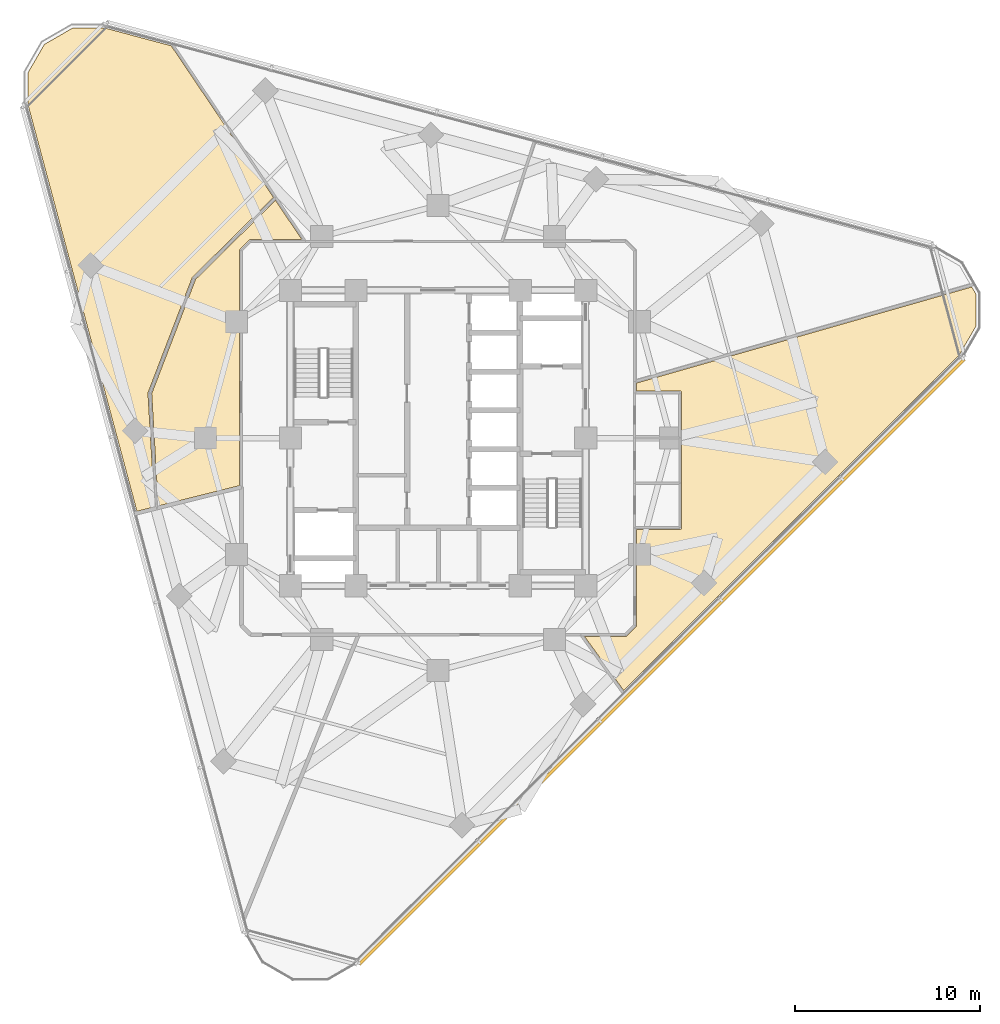
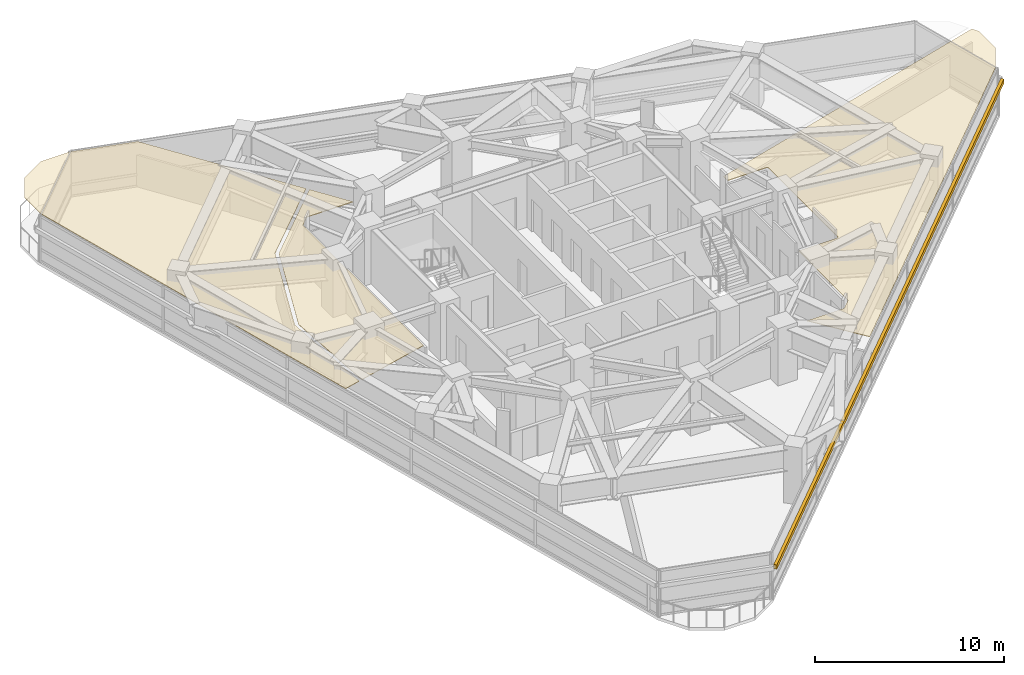
# One storey, part 13 of 15: 3 coverings, 1 shading device.
"""IFC4 building model written with IfcOpenShell, lengths in metres."""

from ifc_helpers import new_model, si_unit, direction, frame, origin, origin_2d, place, context, subcontext, project, spatial, polyline, rectangle, outline, extrude, material, layer, layer_set, type_object, element, save


model = new_model("IFC4")

# Units and contexts
model_context = context("Model", 3, precision=1e-05, world=origin(), true_north=direction((0.0, 1.0)))
body_context = subcontext(model_context, "Body", "Model", "MODEL_VIEW")
ifc_project = project(units=[si_unit("LENGTHUNIT", "METRE"), si_unit("AREAUNIT", "SQUARE_METRE"), si_unit("VOLUMEUNIT", "CUBIC_METRE"), si_unit("PLANEANGLEUNIT", "RADIAN"), si_unit("MASSUNIT", "GRAM", prefix="KILO")], contexts=[model_context])

# Site, building, storey
site_placement = place(None, origin())
site = spatial("IfcSite", under=ifc_project, at=site_placement, CompositionType="ELEMENT")
building_placement = place(site_placement, origin())
building = spatial("IfcBuilding", under=site, at=building_placement, Name="Terralouvre Media Tower", CompositionType="ELEMENT")
storey_placement = place(building_placement, frame((0.0, 0.0, 210.10009765625)))
storey = spatial("IfcBuildingStorey", under=building, at=storey_placement, Name="L54", CompositionType="ELEMENT", Elevation=210.10009765625)

# Coverings
ifc_material_1 = material(Name="Perforated aluminium acoustic ceiling baffle", Category="aluminium")
ifc_layer = layer(ifc_material_1, 0.0400390625, Name="Perforated Acoustic Metal Tile Ceiling CL-AC1")
ifc_layer_set = layer_set([ifc_layer], Name="Perforated aluminium acoustic ceiling baffle")
covering_type = type_object("IfcCoveringType", Name="Perforated Acoustic Metal Tile Ceiling CL-AC1", PredefinedType="CEILING", material=ifc_layer_set)
covering_1_placement = place(storey_placement, frame((0.0, 0.0, 2.93994140625), z_axis=(0.0, 0.0, 1.0), x_axis=(0.707106781187, 0.707106781187, 0.0)))
element("IfcCovering", 1, at=covering_1_placement, inside=storey, type_object=covering_type, Name="L54 International Press Club Lounge 3 Acoustic Ceiling", PredefinedType="CEILING", context=body_context, shape_type="SweptSolid", body=[
    extrude(outline(polyline([(9.404541015625, -5.79833984375), (11.066162109375, -7.4599609375), (11.07275390625, -7.46728515625), (11.07861328125, -7.47509765625), (11.083740234375, -7.483642578125), (11.087890625, -7.492431640625), (11.091064453125, -7.501708984375), (11.093505859375, -7.51123046875), (11.094970703125, -7.520751953125), (11.095458984375, -7.53076171875), (11.094970703125, -7.54052734375), (11.093505859375, -7.550048828125), (11.091064453125, -7.559814453125), (11.087890625, -7.56884765625), (11.083740234375, -7.577880859375), (11.07861328125, -7.586181640625), (11.07275390625, -7.593994140625), (11.066162109375, -7.601318359375), (5.904296875, -12.76318359375), (5.89697265625, -12.769775390625), (5.88916015625, -12.775634765625), (5.880859375, -12.78076171875), (5.871826171875, -12.784912109375), (5.86279296875, -12.788330078125), (5.85302734375, -12.79052734375), (5.843505859375, -12.7919921875), (5.833740234375, -12.79248046875), (5.82373046875, -12.7919921875), (5.814208984375, -12.79052734375), (5.8046875, -12.788330078125), (5.79541015625, -12.784912109375), (5.786376953125, -12.78076171875), (5.778076171875, -12.775634765625), (5.770263671875, -12.769775390625), (5.762939453125, -12.76318359375), (4.101318359375, -11.1015625), (0.42431640625, -14.778564453125), (0.4169921875, -14.78515625), (0.4091796875, -14.791015625), (0.400634765625, -14.7958984375), (0.391845703125, -14.80029296875), (0.382568359375, -14.803466796875), (0.373046875, -14.805908203125), (0.36328125, -14.807373046875), (0.353515625, -14.807861328125), (-0.353515625, -14.807861328125), (-0.36328125, -14.807373046875), (-0.373046875, -14.805908203125), (-0.382568359375, -14.803466796875), (-0.391845703125, -14.80029296875), (-0.400634765625, -14.7958984375), (-0.4091796875, -14.791015625), (-0.4169921875, -14.78515625), (-0.42431640625, -14.778564453125), (-1.990966796875, -13.211669921875), (-2.55712890625, -16.782958984375), (23.15087890625, -16.78369140625), (24.87646484375, -16.32080078125), (26.117919921875, -15.07958984375), (26.2314453125, -14.654052734375), (9.70751953125, -5.4951171875), (9.404541015625, -5.79833984375)])), origin(), (0.0, 0.0, 1.0), 0.0400390625),
])
covering_2_placement = place(storey_placement, frame((0.0, 0.0, 2.93994140625), z_axis=(0.0, 0.0, 1.0), x_axis=(0.707106781187, 0.707106781187, 0.0)))
element("IfcCovering", 2, at=covering_2_placement, inside=storey, type_object=covering_type, Name="L54 Global Summit Boardroom 6 Acoustic Ceiling", PredefinedType="CEILING", context=body_context, shape_type="SweptSolid", body=[
    extrude(outline(polyline([(-13.491455078125, 8.223388671875), (-9.399169921875, 12.822021484375), (-9.391845703125, 12.82958984375), (-9.383544921875, 12.836181640625), (-9.374755859375, 12.842041015625), (-9.365234375, 12.846923828125), (-3.28076171875, 15.5556640625), (-3.270751953125, 15.5595703125), (-3.260498046875, 15.562255859375), (-3.25, 15.56396484375), (-3.239501953125, 15.564453125), (2.91650390625, 15.52880859375), (4.804931640625, 25.2431640625), (2.958984375, 28.440673828125), (1.6962890625, 29.70361328125), (0.0, 30.15771484375), (-1.6962890625, 29.70361328125), (-2.958984375, 28.440673828125), (-14.337890625, 8.731689453125), (-13.491455078125, 8.223388671875)])), origin(), (0.0, 0.0, 1.0), 0.0400390625),
])
covering_3_placement = place(storey_placement, frame((0.0, 0.0, 2.93994140625), z_axis=(0.0, 0.0, 1.0), x_axis=(0.707106781187, 0.707106781187, 0.0)))
element("IfcCovering", 3, at=covering_3_placement, inside=storey, type_object=covering_type, Name="L54 Diplomatic Briefing Room 7 Acoustic Ceiling", PredefinedType="CEILING", context=body_context, shape_type="SweptSolid", body=[
    extrude(outline(polyline([(-3.218994140625, 15.3642578125), (-9.26416015625, 12.6728515625), (-13.31689453125, 8.11865234375), (-9.423583984375, 5.779296875), (-0.42431640625, 14.778564453125), (-0.4169921875, 14.78515625), (-0.4091796875, 14.791015625), (-0.400634765625, 14.7958984375), (-0.391845703125, 14.80029296875), (-0.382568359375, 14.803466796875), (-0.373046875, 14.805908203125), (-0.36328125, 14.807373046875), (-0.353515625, 14.807861328125), (0.353515625, 14.807861328125), (0.36328125, 14.807373046875), (0.373046875, 14.805908203125), (0.382568359375, 14.803466796875), (0.391845703125, 14.80029296875), (0.400634765625, 14.7958984375), (0.4091796875, 14.791015625), (0.4169921875, 14.78515625), (0.42431640625, 14.778564453125), (2.388427734375, 12.814208984375), (2.877685546875, 15.3291015625), (-3.218994140625, 15.3642578125)])), origin(), (0.0, 0.0, 1.0), 0.0400390625),
])

# Shading device
ifc_material_2 = material(Name="Extruded terracotta baguette sunshade louvres", Category="masonry")
shading_device_type = type_object("IfcShadingDeviceType", Name="Terracotta Baguette Sunshade Louvre Screen TB-LV1", PredefinedType="USERDEFINED", material=ifc_material_2)
shading_device_placement = place(storey_placement, frame((12.121826171875, -12.121826171875, 1.9990234375), z_axis=(0.0, 0.0, 1.0), x_axis=(0.707106781187, 0.707106781187, 0.0)))
element("IfcShadingDevice", 4, at=shading_device_placement, inside=storey, type_object=shading_device_type, Name="CW-L54-F0 Terracotta Baguette Sunshade Louvre", ObjectType="BAGUETTE", PredefinedType="USERDEFINED", context=body_context, shape_type="SweptSolid", body=[
    extrude(rectangle(XDim=46.360107421875, YDim=0.179931640625, at=origin_2d()), origin(), (0.0, 0.0, 1.0), 0.280029296875),
])

save(model, "model.ifc")
